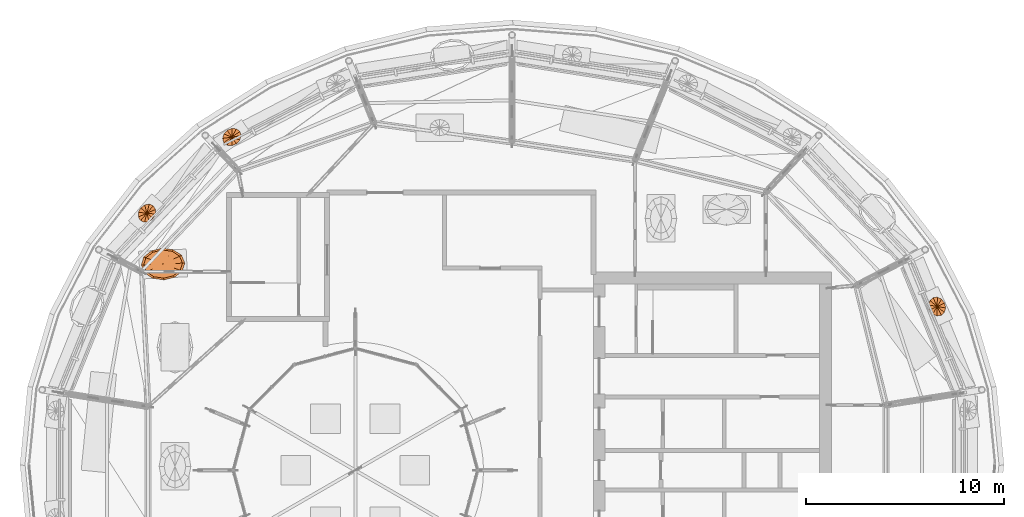
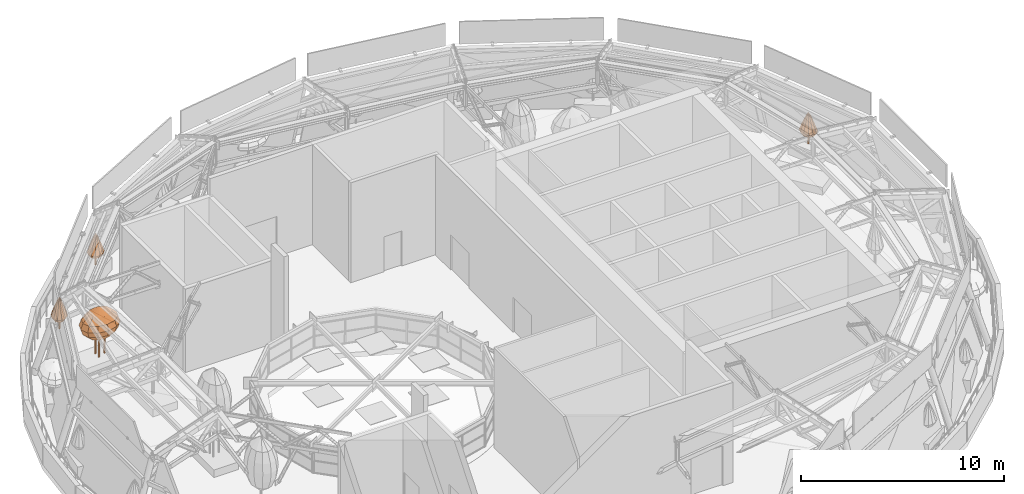
# One storey, part 37 of 40: 4 geographic elements.
"""IFC4 building model written with IfcOpenShell, lengths in metres."""

from ifc_helpers import new_model, si_unit, direction, frame, origin, place, context, subcontext, project, spatial, faceted_brep, material, constituent, constituent_set, type_object, element, save


model = new_model("IFC4")

# Units and contexts
model_context = context("Model", 3, precision=1e-05, world=origin(), true_north=direction((0.0, 1.0)))
body_context = subcontext(model_context, "Body", "Model", "MODEL_VIEW")
ifc_project = project(units=[si_unit("LENGTHUNIT", "METRE"), si_unit("AREAUNIT", "SQUARE_METRE"), si_unit("VOLUMEUNIT", "CUBIC_METRE"), si_unit("PLANEANGLEUNIT", "RADIAN"), si_unit("MASSUNIT", "GRAM", prefix="KILO")], contexts=[model_context])

# Site, building, storey
site_placement = place(None, origin())
site = spatial("IfcSite", under=ifc_project, at=site_placement, CompositionType="ELEMENT")
building_placement = place(site_placement, origin())
building = spatial("IfcBuilding", under=site, at=building_placement, Name="Taillehof Tower", CompositionType="ELEMENT")
storey_placement = place(building_placement, frame((0.0, 0.0, 275.199951171875)))
storey = spatial("IfcBuildingStorey", under=building, at=storey_placement, Name="L77", CompositionType="ELEMENT", Elevation=275.199951171875)

# Geographic elements
ifc_material_1 = material(Name="Tree bark", Category="timber")
ifc_constituent_1 = constituent(ifc_material_1, Name="Trunk", Category="timber")
ifc_material_2 = material(Name="Tree foliage")
ifc_constituent_2 = constituent(ifc_material_2, Name="Crown")
ifc_constituent_set_1 = constituent_set(constituents=[ifc_constituent_1, ifc_constituent_2], Name="Tree TR10 Scots pine standard")
geographic_element_type_1 = type_object("IfcGeographicElementType", Name="Tree TR10 Scots pine standard", PredefinedType="USERDEFINED", material=ifc_constituent_set_1)
geographic_element_1_placement = place(storey_placement, frame((21.333984375, 8.259765625, 0.75)))
element("IfcGeographicElement", 1, at=geographic_element_1_placement, inside=storey, type_object=geographic_element_type_1, Name="Tree TR10 Scots pine standard", ObjectType="TREE", PredefinedType="USERDEFINED", context=body_context, shape_type="Brep", body=[
    faceted_brep([(0.050048828125, 0.0, 0.0), (0.035400390625, 0.035400390625, 0.0), (0.035400390625, 0.035400390625, 1.035400390625), (0.050048828125, 0.0, 1.035400390625), (0.0, 0.050048828125, 0.0), (0.0, 0.050048828125, 1.035400390625), (-0.035400390625, 0.035400390625, 0.0), (-0.035400390625, 0.035400390625, 1.035400390625), (-0.050048828125, 0.0, 0.0), (-0.050048828125, 0.0, 1.035400390625), (-0.035400390625, -0.035400390625, 0.0), (-0.035400390625, -0.035400390625, 1.035400390625), (0.0, -0.050048828125, 0.0), (0.0, -0.050048828125, 1.035400390625), (0.035400390625, -0.035400390625, 0.0), (0.035400390625, -0.035400390625, 1.035400390625)], [[[0, 1, 2, 3]], [[1, 4, 5, 2]], [[4, 6, 7, 5]], [[6, 8, 9, 7]], [[8, 10, 11, 9]], [[10, 12, 13, 11]], [[12, 14, 15, 13]], [[14, 0, 3, 15]], [[14, 12, 10, 8, 6, 4, 1, 0]], [[3, 2, 5, 7, 9, 11, 13, 15]]]),
    faceted_brep([(-0.138427734375, 0.299560546875, 0.570068359375), (-0.24462890625, 0.20166015625, 0.570068359375), (-0.365234375, 0.30126953125, 0.791748046875), (-0.20654296875, 0.447265625, 0.791748046875), (-0.285400390625, 0.0498046875, 0.570068359375), (-0.426025390625, 0.074462890625, 0.791748046875), (-0.249755859375, -0.115234375, 0.570068359375), (-0.372802734375, -0.172119140625, 0.791748046875), (-0.14697265625, -0.249755859375, 0.570068359375), (-0.219482421875, -0.372802734375, 0.791748046875), (-0.0048828125, -0.317138671875, 0.570068359375), (-0.00732421875, -0.473388671875, 0.791748046875), (0.138427734375, -0.299560546875, 0.570068359375), (0.20654296875, -0.447265625, 0.791748046875), (0.24462890625, -0.20166015625, 0.570068359375), (0.365234375, -0.30126953125, 0.791748046875), (0.285400390625, -0.0498046875, 0.570068359375), (0.426025390625, -0.074462890625, 0.791748046875), (0.249755859375, 0.115234375, 0.570068359375), (0.372802734375, 0.172119140625, 0.791748046875), (0.14697265625, 0.249755859375, 0.570068359375), (0.219482421875, 0.372802734375, 0.791748046875), (0.0048828125, 0.317138671875, 0.570068359375), (0.00732421875, 0.473388671875, 0.791748046875), (-0.3056640625, 0.251953125, 1.013427734375), (-0.1728515625, 0.3740234375, 1.013427734375), (-0.3564453125, 0.062255859375, 1.013427734375), (-0.311767578125, -0.14404296875, 1.013427734375), (-0.18359375, -0.311767578125, 1.013427734375), (-0.006103515625, -0.39599609375, 1.013427734375), (0.1728515625, -0.3740234375, 1.013427734375), (0.3056640625, -0.251953125, 1.013427734375), (0.3564453125, -0.062255859375, 1.013427734375), (0.311767578125, 0.14404296875, 1.013427734375), (0.18359375, 0.311767578125, 1.013427734375), (0.006103515625, 0.39599609375, 1.013427734375), (-0.24267578125, 0.2001953125, 1.235107421875), (-0.13720703125, 0.297119140625, 1.235107421875), (-0.283203125, 0.049560546875, 1.235107421875), (-0.24755859375, -0.114501953125, 1.235107421875), (-0.145751953125, -0.247802734375, 1.235107421875), (-0.0048828125, -0.314697265625, 1.235107421875), (0.13720703125, -0.297119140625, 1.235107421875), (0.24267578125, -0.2001953125, 1.235107421875), (0.283203125, -0.049560546875, 1.235107421875), (0.24755859375, 0.114501953125, 1.235107421875), (0.145751953125, 0.247802734375, 1.235107421875), (0.0048828125, 0.314697265625, 1.235107421875), (-0.175537109375, 0.144775390625, 1.456787109375), (-0.099365234375, 0.21484375, 1.456787109375), (-0.20458984375, 0.035888671875, 1.456787109375), (-0.178955078125, -0.082763671875, 1.456787109375), (-0.10546875, -0.178955078125, 1.456787109375), (-0.003662109375, -0.2275390625, 1.456787109375), (0.099365234375, -0.21484375, 1.456787109375), (0.175537109375, -0.144775390625, 1.456787109375), (0.20458984375, -0.035888671875, 1.456787109375), (0.178955078125, 0.082763671875, 1.456787109375), (0.10546875, 0.178955078125, 1.456787109375), (0.003662109375, 0.2275390625, 1.456787109375), (-0.100830078125, 0.0830078125, 1.67822265625), (-0.05712890625, 0.123291015625, 1.67822265625), (-0.11767578125, 0.0205078125, 1.67822265625), (-0.102783203125, -0.047607421875, 1.67822265625), (-0.060546875, -0.102783203125, 1.67822265625), (-0.001953125, -0.130615234375, 1.67822265625), (0.05712890625, -0.123291015625, 1.67822265625), (0.100830078125, -0.0830078125, 1.67822265625), (0.11767578125, -0.0205078125, 1.67822265625), (0.102783203125, 0.047607421875, 1.67822265625), (0.060546875, 0.102783203125, 1.67822265625), (0.001953125, 0.130615234375, 1.67822265625), (0.0, 0.0, 1.89990234375)], [[[0, 1, 2, 3]], [[1, 4, 5, 2]], [[4, 6, 7, 5]], [[6, 8, 9, 7]], [[8, 10, 11, 9]], [[10, 12, 13, 11]], [[12, 14, 15, 13]], [[14, 16, 17, 15]], [[16, 18, 19, 17]], [[18, 20, 21, 19]], [[20, 22, 23, 21]], [[22, 0, 3, 23]], [[3, 2, 24, 25]], [[2, 5, 26, 24]], [[5, 7, 27, 26]], [[7, 9, 28, 27]], [[9, 11, 29, 28]], [[11, 13, 30, 29]], [[13, 15, 31, 30]], [[15, 17, 32, 31]], [[17, 19, 33, 32]], [[19, 21, 34, 33]], [[21, 23, 35, 34]], [[23, 3, 25, 35]], [[25, 24, 36, 37]], [[24, 26, 38, 36]], [[26, 27, 39, 38]], [[27, 28, 40, 39]], [[28, 29, 41, 40]], [[29, 30, 42, 41]], [[30, 31, 43, 42]], [[31, 32, 44, 43]], [[32, 33, 45, 44]], [[33, 34, 46, 45]], [[34, 35, 47, 46]], [[35, 25, 37, 47]], [[37, 36, 48, 49]], [[36, 38, 50, 48]], [[38, 39, 51, 50]], [[39, 40, 52, 51]], [[40, 41, 53, 52]], [[41, 42, 54, 53]], [[42, 43, 55, 54]], [[43, 44, 56, 55]], [[44, 45, 57, 56]], [[45, 46, 58, 57]], [[46, 47, 59, 58]], [[47, 37, 49, 59]], [[49, 48, 60, 61]], [[48, 50, 62, 60]], [[50, 51, 63, 62]], [[51, 52, 64, 63]], [[52, 53, 65, 64]], [[53, 54, 66, 65]], [[54, 55, 67, 66]], [[55, 56, 68, 67]], [[56, 57, 69, 68]], [[57, 58, 70, 69]], [[58, 59, 71, 70]], [[59, 49, 61, 71]], [[61, 60, 72]], [[60, 62, 72]], [[62, 63, 72]], [[63, 64, 72]], [[64, 65, 72]], [[65, 66, 72]], [[66, 67, 72]], [[67, 68, 72]], [[68, 69, 72]], [[69, 70, 72]], [[70, 71, 72]], [[71, 61, 72]], [[22, 20, 18, 16, 14, 12, 10, 8, 6, 4, 1, 0]]]),
])
geographic_element_2_placement = place(storey_placement, frame((-14.223388671875, 16.8017578125, 0.75)))
element("IfcGeographicElement", 2, at=geographic_element_2_placement, inside=storey, type_object=geographic_element_type_1, Name="Tree TR10 Scots pine standard", ObjectType="TREE", PredefinedType="USERDEFINED", context=body_context, shape_type="Brep", body=[
    faceted_brep([(0.050048828125, 0.0, 0.0), (0.035400390625, 0.035400390625, 0.0), (0.035400390625, 0.035400390625, 1.035400390625), (0.050048828125, 0.0, 1.035400390625), (0.0, 0.050048828125, 0.0), (0.0, 0.050048828125, 1.035400390625), (-0.035400390625, 0.035400390625, 0.0), (-0.035400390625, 0.035400390625, 1.035400390625), (-0.050048828125, 0.0, 0.0), (-0.050048828125, 0.0, 1.035400390625), (-0.035400390625, -0.035400390625, 0.0), (-0.035400390625, -0.035400390625, 1.035400390625), (0.0, -0.050048828125, 0.0), (0.0, -0.050048828125, 1.035400390625), (0.035400390625, -0.035400390625, 0.0), (0.035400390625, -0.035400390625, 1.035400390625)], [[[0, 1, 2, 3]], [[1, 4, 5, 2]], [[4, 6, 7, 5]], [[6, 8, 9, 7]], [[8, 10, 11, 9]], [[10, 12, 13, 11]], [[12, 14, 15, 13]], [[14, 0, 3, 15]], [[14, 12, 10, 8, 6, 4, 1, 0]], [[3, 2, 5, 7, 9, 11, 13, 15]]]),
    faceted_brep([(-0.27197265625, -0.18701171875, 0.570068359375), (-0.157470703125, -0.275146484375, 0.570068359375), (-0.235107421875, -0.410888671875, 0.791748046875), (-0.40576171875, -0.279296875, 0.791748046875), (-0.0009765625, -0.289794921875, 0.570068359375), (-0.00146484375, -0.4326171875, 0.791748046875), (0.15576171875, -0.2265625, 0.570068359375), (0.232666015625, -0.338134765625, 0.791748046875), (0.27099609375, -0.102783203125, 0.570068359375), (0.404541015625, -0.1533203125, 0.791748046875), (0.3134765625, 0.048583984375, 0.570068359375), (0.4677734375, 0.07275390625, 0.791748046875), (0.27197265625, 0.18701171875, 0.570068359375), (0.40576171875, 0.279296875, 0.791748046875), (0.157470703125, 0.275146484375, 0.570068359375), (0.235107421875, 0.410888671875, 0.791748046875), (0.0009765625, 0.289794921875, 0.570068359375), (0.00146484375, 0.4326171875, 0.791748046875), (-0.15576171875, 0.2265625, 0.570068359375), (-0.232666015625, 0.338134765625, 0.791748046875), (-0.27099609375, 0.102783203125, 0.570068359375), (-0.404541015625, 0.1533203125, 0.791748046875), (-0.3134765625, -0.048583984375, 0.570068359375), (-0.4677734375, -0.07275390625, 0.791748046875), (-0.19677734375, -0.34375, 1.013427734375), (-0.339599609375, -0.233642578125, 1.013427734375), (-0.001220703125, -0.36181640625, 1.013427734375), (0.194580078125, -0.282958984375, 1.013427734375), (0.33837890625, -0.128173828125, 1.013427734375), (0.391357421875, 0.060791015625, 1.013427734375), (0.339599609375, 0.233642578125, 1.013427734375), (0.19677734375, 0.34375, 1.013427734375), (0.001220703125, 0.36181640625, 1.013427734375), (-0.194580078125, 0.282958984375, 1.013427734375), (-0.33837890625, 0.128173828125, 1.013427734375), (-0.391357421875, -0.060791015625, 1.013427734375), (-0.15625, -0.273193359375, 1.235107421875), (-0.269775390625, -0.185546875, 1.235107421875), (-0.0009765625, -0.287353515625, 1.235107421875), (0.154541015625, -0.224853515625, 1.235107421875), (0.268798828125, -0.101806640625, 1.235107421875), (0.310791015625, 0.04833984375, 1.235107421875), (0.269775390625, 0.185546875, 1.235107421875), (0.15625, 0.273193359375, 1.235107421875), (0.0009765625, 0.287353515625, 1.235107421875), (-0.154541015625, 0.224853515625, 1.235107421875), (-0.268798828125, 0.101806640625, 1.235107421875), (-0.310791015625, -0.04833984375, 1.235107421875), (-0.113037109375, -0.197509765625, 1.456787109375), (-0.195068359375, -0.134033203125, 1.456787109375), (-0.000732421875, -0.207763671875, 1.456787109375), (0.11181640625, -0.16259765625, 1.456787109375), (0.1943359375, -0.07373046875, 1.456787109375), (0.224853515625, 0.034912109375, 1.456787109375), (0.195068359375, 0.134033203125, 1.456787109375), (0.113037109375, 0.197509765625, 1.456787109375), (0.000732421875, 0.207763671875, 1.456787109375), (-0.11181640625, 0.16259765625, 1.456787109375), (-0.1943359375, 0.07373046875, 1.456787109375), (-0.224853515625, -0.034912109375, 1.456787109375), (-0.06494140625, -0.11328125, 1.67822265625), (-0.112060546875, -0.0771484375, 1.67822265625), (-0.00048828125, -0.119384765625, 1.67822265625), (0.064208984375, -0.09326171875, 1.67822265625), (0.111572265625, -0.042236328125, 1.67822265625), (0.129150390625, 0.02001953125, 1.67822265625), (0.112060546875, 0.0771484375, 1.67822265625), (0.06494140625, 0.11328125, 1.67822265625), (0.00048828125, 0.119384765625, 1.67822265625), (-0.064208984375, 0.09326171875, 1.67822265625), (-0.111572265625, 0.042236328125, 1.67822265625), (-0.129150390625, -0.02001953125, 1.67822265625), (0.0, 0.0, 1.89990234375)], [[[0, 1, 2, 3]], [[1, 4, 5, 2]], [[4, 6, 7, 5]], [[6, 8, 9, 7]], [[8, 10, 11, 9]], [[10, 12, 13, 11]], [[12, 14, 15, 13]], [[14, 16, 17, 15]], [[16, 18, 19, 17]], [[18, 20, 21, 19]], [[20, 22, 23, 21]], [[22, 0, 3, 23]], [[3, 2, 24, 25]], [[2, 5, 26, 24]], [[5, 7, 27, 26]], [[7, 9, 28, 27]], [[9, 11, 29, 28]], [[11, 13, 30, 29]], [[13, 15, 31, 30]], [[15, 17, 32, 31]], [[17, 19, 33, 32]], [[19, 21, 34, 33]], [[21, 23, 35, 34]], [[23, 3, 25, 35]], [[25, 24, 36, 37]], [[24, 26, 38, 36]], [[26, 27, 39, 38]], [[27, 28, 40, 39]], [[28, 29, 41, 40]], [[29, 30, 42, 41]], [[30, 31, 43, 42]], [[31, 32, 44, 43]], [[32, 33, 45, 44]], [[33, 34, 46, 45]], [[34, 35, 47, 46]], [[35, 25, 37, 47]], [[37, 36, 48, 49]], [[36, 38, 50, 48]], [[38, 39, 51, 50]], [[39, 40, 52, 51]], [[40, 41, 53, 52]], [[41, 42, 54, 53]], [[42, 43, 55, 54]], [[43, 44, 56, 55]], [[44, 45, 57, 56]], [[45, 46, 58, 57]], [[46, 47, 59, 58]], [[47, 37, 49, 59]], [[49, 48, 60, 61]], [[48, 50, 62, 60]], [[50, 51, 63, 62]], [[51, 52, 64, 63]], [[52, 53, 65, 64]], [[53, 54, 66, 65]], [[54, 55, 67, 66]], [[55, 56, 68, 67]], [[56, 57, 69, 68]], [[57, 58, 70, 69]], [[58, 59, 71, 70]], [[59, 49, 61, 71]], [[61, 60, 72]], [[60, 62, 72]], [[62, 63, 72]], [[63, 64, 72]], [[64, 65, 72]], [[65, 66, 72]], [[66, 67, 72]], [[67, 68, 72]], [[68, 69, 72]], [[69, 70, 72]], [[70, 71, 72]], [[71, 61, 72]], [[22, 20, 18, 16, 14, 12, 10, 8, 6, 4, 1, 0]]]),
])
geographic_element_3_placement = place(storey_placement, frame((-18.505859375, 12.962158203125, 0.75)))
element("IfcGeographicElement", 3, at=geographic_element_3_placement, inside=storey, type_object=geographic_element_type_1, Name="Tree TR10 Scots pine standard", ObjectType="TREE", PredefinedType="USERDEFINED", context=body_context, shape_type="Brep", body=[
    faceted_brep([(0.050048828125, 0.0, 0.0), (0.035400390625, 0.035400390625, 0.0), (0.035400390625, 0.035400390625, 1.035400390625), (0.050048828125, 0.0, 1.035400390625), (0.0, 0.050048828125, 0.0), (0.0, 0.050048828125, 1.035400390625), (-0.035400390625, 0.035400390625, 0.0), (-0.035400390625, 0.035400390625, 1.035400390625), (-0.050048828125, 0.0, 0.0), (-0.050048828125, 0.0, 1.035400390625), (-0.035400390625, -0.035400390625, 0.0), (-0.035400390625, -0.035400390625, 1.035400390625), (0.0, -0.050048828125, 0.0), (0.0, -0.050048828125, 1.035400390625), (0.035400390625, -0.035400390625, 0.0), (0.035400390625, -0.035400390625, 1.035400390625)], [[[0, 1, 2, 3]], [[1, 4, 5, 2]], [[4, 6, 7, 5]], [[6, 8, 9, 7]], [[8, 10, 11, 9]], [[10, 12, 13, 11]], [[12, 14, 15, 13]], [[14, 0, 3, 15]], [[14, 12, 10, 8, 6, 4, 1, 0]], [[3, 2, 5, 7, 9, 11, 13, 15]]]),
    faceted_brep([(-0.214599609375, -0.250732421875, 0.570068359375), (-0.081298828125, -0.306640625, 0.570068359375), (-0.12158203125, -0.45751953125, 0.791748046875), (-0.3203125, -0.374267578125, 0.791748046875), (0.07373046875, -0.2802734375, 0.570068359375), (0.10986328125, -0.418212890625, 0.791748046875), (0.208984375, -0.1787109375, 0.570068359375), (0.31201171875, -0.266845703125, 0.791748046875), (0.288330078125, -0.029541015625, 0.570068359375), (0.43017578125, -0.0439453125, 0.791748046875), (0.290283203125, 0.127685546875, 0.570068359375), (0.433349609375, 0.190673828125, 0.791748046875), (0.214599609375, 0.250732421875, 0.570068359375), (0.3203125, 0.374267578125, 0.791748046875), (0.081298828125, 0.306640625, 0.570068359375), (0.12158203125, 0.45751953125, 0.791748046875), (-0.07373046875, 0.2802734375, 0.570068359375), (-0.10986328125, 0.418212890625, 0.791748046875), (-0.208984375, 0.1787109375, 0.570068359375), (-0.31201171875, 0.266845703125, 0.791748046875), (-0.288330078125, 0.029541015625, 0.570068359375), (-0.43017578125, 0.0439453125, 0.791748046875), (-0.290283203125, -0.127685546875, 0.570068359375), (-0.433349609375, -0.190673828125, 0.791748046875), (-0.1015625, -0.3828125, 1.013427734375), (-0.26806640625, -0.31298828125, 1.013427734375), (0.092041015625, -0.349853515625, 1.013427734375), (0.260986328125, -0.223388671875, 1.013427734375), (0.35986328125, -0.036865234375, 1.013427734375), (0.362548828125, 0.159423828125, 1.013427734375), (0.26806640625, 0.31298828125, 1.013427734375), (0.1015625, 0.3828125, 1.013427734375), (-0.092041015625, 0.349853515625, 1.013427734375), (-0.260986328125, 0.223388671875, 1.013427734375), (-0.35986328125, 0.036865234375, 1.013427734375), (-0.362548828125, -0.159423828125, 1.013427734375), (-0.080810546875, -0.30419921875, 1.235107421875), (-0.212890625, -0.248779296875, 1.235107421875), (0.072998046875, -0.278076171875, 1.235107421875), (0.207275390625, -0.177490234375, 1.235107421875), (0.285888671875, -0.029296875, 1.235107421875), (0.2880859375, 0.126708984375, 1.235107421875), (0.212890625, 0.248779296875, 1.235107421875), (0.080810546875, 0.30419921875, 1.235107421875), (-0.072998046875, 0.278076171875, 1.235107421875), (-0.207275390625, 0.177490234375, 1.235107421875), (-0.285888671875, 0.029296875, 1.235107421875), (-0.2880859375, -0.126708984375, 1.235107421875), (-0.058349609375, -0.219970703125, 1.456787109375), (-0.15380859375, -0.179931640625, 1.456787109375), (0.052734375, -0.200927734375, 1.456787109375), (0.14990234375, -0.128173828125, 1.456787109375), (0.206787109375, -0.021240234375, 1.456787109375), (0.208251953125, 0.091552734375, 1.456787109375), (0.15380859375, 0.179931640625, 1.456787109375), (0.058349609375, 0.219970703125, 1.456787109375), (-0.052734375, 0.200927734375, 1.456787109375), (-0.14990234375, 0.128173828125, 1.456787109375), (-0.206787109375, 0.021240234375, 1.456787109375), (-0.208251953125, -0.091552734375, 1.456787109375), (-0.033447265625, -0.126220703125, 1.67822265625), (-0.08837890625, -0.103271484375, 1.67822265625), (0.0302734375, -0.115478515625, 1.67822265625), (0.086181640625, -0.07373046875, 1.67822265625), (0.11865234375, -0.01220703125, 1.67822265625), (0.11962890625, 0.052734375, 1.67822265625), (0.08837890625, 0.103271484375, 1.67822265625), (0.033447265625, 0.126220703125, 1.67822265625), (-0.0302734375, 0.115478515625, 1.67822265625), (-0.086181640625, 0.07373046875, 1.67822265625), (-0.11865234375, 0.01220703125, 1.67822265625), (-0.11962890625, -0.052734375, 1.67822265625), (0.0, 0.0, 1.89990234375)], [[[0, 1, 2, 3]], [[1, 4, 5, 2]], [[4, 6, 7, 5]], [[6, 8, 9, 7]], [[8, 10, 11, 9]], [[10, 12, 13, 11]], [[12, 14, 15, 13]], [[14, 16, 17, 15]], [[16, 18, 19, 17]], [[18, 20, 21, 19]], [[20, 22, 23, 21]], [[22, 0, 3, 23]], [[3, 2, 24, 25]], [[2, 5, 26, 24]], [[5, 7, 27, 26]], [[7, 9, 28, 27]], [[9, 11, 29, 28]], [[11, 13, 30, 29]], [[13, 15, 31, 30]], [[15, 17, 32, 31]], [[17, 19, 33, 32]], [[19, 21, 34, 33]], [[21, 23, 35, 34]], [[23, 3, 25, 35]], [[25, 24, 36, 37]], [[24, 26, 38, 36]], [[26, 27, 39, 38]], [[27, 28, 40, 39]], [[28, 29, 41, 40]], [[29, 30, 42, 41]], [[30, 31, 43, 42]], [[31, 32, 44, 43]], [[32, 33, 45, 44]], [[33, 34, 46, 45]], [[34, 35, 47, 46]], [[35, 25, 37, 47]], [[37, 36, 48, 49]], [[36, 38, 50, 48]], [[38, 39, 51, 50]], [[39, 40, 52, 51]], [[40, 41, 53, 52]], [[41, 42, 54, 53]], [[42, 43, 55, 54]], [[43, 44, 56, 55]], [[44, 45, 57, 56]], [[45, 46, 58, 57]], [[46, 47, 59, 58]], [[47, 37, 49, 59]], [[49, 48, 60, 61]], [[48, 50, 62, 60]], [[50, 51, 63, 62]], [[51, 52, 64, 63]], [[52, 53, 65, 64]], [[53, 54, 66, 65]], [[54, 55, 67, 66]], [[55, 56, 68, 67]], [[56, 57, 69, 68]], [[57, 58, 70, 69]], [[58, 59, 71, 70]], [[59, 49, 61, 71]], [[61, 60, 72]], [[60, 62, 72]], [[62, 63, 72]], [[63, 64, 72]], [[64, 65, 72]], [[65, 66, 72]], [[66, 67, 72]], [[67, 68, 72]], [[68, 69, 72]], [[69, 70, 72]], [[70, 71, 72]], [[71, 61, 72]], [[22, 20, 18, 16, 14, 12, 10, 8, 6, 4, 1, 0]]]),
])
ifc_material_3 = material(Name="Tree bark", Category="timber")
ifc_constituent_3 = constituent(ifc_material_3, Name="Trunk", Category="timber")
ifc_material_4 = material(Name="Tree foliage")
ifc_constituent_4 = constituent(ifc_material_4, Name="Crown")
ifc_constituent_set_2 = constituent_set(constituents=[ifc_constituent_3, ifc_constituent_4], Name="Tree TR9 Multi-stem hawthorn")
geographic_element_type_2 = type_object("IfcGeographicElementType", Name="Tree TR9 Multi-stem hawthorn", PredefinedType="USERDEFINED", material=ifc_constituent_set_2)
geographic_element_4_placement = place(storey_placement, frame((-17.691650390625, 10.3994140625, 0.449951171875)))
element("IfcGeographicElement", 4, at=geographic_element_4_placement, inside=storey, type_object=geographic_element_type_2, Name="Tree TR9 Multi-stem hawthorn", ObjectType="TREE", PredefinedType="USERDEFINED", context=body_context, shape_type="Brep", body=[
    faceted_brep([(0.31982421875, 0.0, 0.0), (0.306640625, 0.03173828125, 0.0), (0.306640625, 0.03173828125, 1.58056640625), (0.31982421875, 0.0, 1.58056640625), (0.27490234375, 0.044921875, 0.0), (0.27490234375, 0.044921875, 1.58056640625), (0.2431640625, 0.03173828125, 0.0), (0.2431640625, 0.03173828125, 1.58056640625), (0.22998046875, 0.0, 0.0), (0.22998046875, 0.0, 1.58056640625), (0.2431640625, -0.03173828125, 0.0), (0.2431640625, -0.03173828125, 1.58056640625), (0.27490234375, -0.044921875, 0.0), (0.27490234375, -0.044921875, 1.58056640625), (0.306640625, -0.03173828125, 0.0), (0.306640625, -0.03173828125, 1.58056640625)], [[[0, 1, 2, 3]], [[1, 4, 5, 2]], [[4, 6, 7, 5]], [[6, 8, 9, 7]], [[8, 10, 11, 9]], [[10, 12, 13, 11]], [[12, 14, 15, 13]], [[14, 0, 3, 15]], [[14, 12, 10, 8, 6, 4, 1, 0]], [[3, 2, 5, 7, 9, 11, 13, 15]]]),
    faceted_brep([(-0.092529296875, 0.173095703125, 0.0), (-0.105712890625, 0.205078125, 0.0), (-0.105712890625, 0.205078125, 1.58056640625), (-0.092529296875, 0.173095703125, 1.58056640625), (-0.137451171875, 0.218017578125, 0.0), (-0.137451171875, 0.218017578125, 1.58056640625), (-0.169189453125, 0.205078125, 0.0), (-0.169189453125, 0.205078125, 1.58056640625), (-0.182373046875, 0.173095703125, 0.0), (-0.182373046875, 0.173095703125, 1.58056640625), (-0.169189453125, 0.141357421875, 0.0), (-0.169189453125, 0.141357421875, 1.58056640625), (-0.137451171875, 0.12841796875, 0.0), (-0.137451171875, 0.12841796875, 1.58056640625), (-0.105712890625, 0.141357421875, 0.0), (-0.105712890625, 0.141357421875, 1.58056640625)], [[[0, 1, 2, 3]], [[1, 4, 5, 2]], [[4, 6, 7, 5]], [[6, 8, 9, 7]], [[8, 10, 11, 9]], [[10, 12, 13, 11]], [[12, 14, 15, 13]], [[14, 0, 3, 15]], [[14, 12, 10, 8, 6, 4, 1, 0]], [[3, 2, 5, 7, 9, 11, 13, 15]]]),
    faceted_brep([(-0.092529296875, -0.173095703125, 0.0), (-0.105712890625, -0.141357421875, 0.0), (-0.105712890625, -0.141357421875, 1.58056640625), (-0.092529296875, -0.173095703125, 1.58056640625), (-0.137451171875, -0.12841796875, 0.0), (-0.137451171875, -0.12841796875, 1.58056640625), (-0.169189453125, -0.141357421875, 0.0), (-0.169189453125, -0.141357421875, 1.58056640625), (-0.182373046875, -0.173095703125, 0.0), (-0.182373046875, -0.173095703125, 1.58056640625), (-0.169189453125, -0.205078125, 0.0), (-0.169189453125, -0.205078125, 1.58056640625), (-0.137451171875, -0.218017578125, 0.0), (-0.137451171875, -0.218017578125, 1.58056640625), (-0.105712890625, -0.205078125, 0.0), (-0.105712890625, -0.205078125, 1.58056640625)], [[[0, 1, 2, 3]], [[1, 4, 5, 2]], [[4, 6, 7, 5]], [[6, 8, 9, 7]], [[8, 10, 11, 9]], [[10, 12, 13, 11]], [[12, 14, 15, 13]], [[14, 0, 3, 15]], [[14, 12, 10, 8, 6, 4, 1, 0]], [[3, 2, 5, 7, 9, 11, 13, 15]]]),
    faceted_brep([(0.0, 0.0, 0.8701171875), (0.535888671875, 0.2548828125, 1.208251953125), (0.631103515625, 0.029296875, 1.208251953125), (0.297119140625, 0.412109375, 1.208251953125), (-0.021240234375, 0.458984375, 1.208251953125), (-0.333984375, 0.3828125, 1.208251953125), (-0.55712890625, 0.2041015625, 1.208251953125), (-0.631103515625, -0.029296875, 1.208251953125), (-0.535888671875, -0.2548828125, 1.208251953125), (-0.297119140625, -0.412109375, 1.208251953125), (0.021240234375, -0.458984375, 1.208251953125), (0.333984375, -0.3828125, 1.208251953125), (0.55712890625, -0.2041015625, 1.208251953125), (0.83154296875, 0.3955078125, 1.546630859375), (0.9794921875, 0.045654296875, 1.546630859375), (0.4609375, 0.6396484375, 1.546630859375), (-0.033203125, 0.712158203125, 1.546630859375), (-0.518310546875, 0.593994140625, 1.546630859375), (-0.86474609375, 0.316650390625, 1.546630859375), (-0.9794921875, -0.045654296875, 1.546630859375), (-0.83154296875, -0.3955078125, 1.546630859375), (-0.4609375, -0.6396484375, 1.546630859375), (0.033203125, -0.712158203125, 1.546630859375), (0.518310546875, -0.593994140625, 1.546630859375), (0.86474609375, -0.316650390625, 1.546630859375), (0.93310546875, 0.44384765625, 1.885009765625), (1.098876953125, 0.051025390625, 1.885009765625), (0.517333984375, 0.717529296875, 1.885009765625), (-0.037109375, 0.799072265625, 1.885009765625), (-0.58154296875, 0.66650390625, 1.885009765625), (-0.97021484375, 0.355224609375, 1.885009765625), (-1.098876953125, -0.051025390625, 1.885009765625), (-0.93310546875, -0.44384765625, 1.885009765625), (-0.517333984375, -0.717529296875, 1.885009765625), (0.037109375, -0.799072265625, 1.885009765625), (0.58154296875, -0.66650390625, 1.885009765625), (0.97021484375, -0.355224609375, 1.885009765625), (0.83154296875, 0.3955078125, 2.223388671875), (0.9794921875, 0.045654296875, 2.223388671875), (0.4609375, 0.6396484375, 2.223388671875), (-0.033203125, 0.712158203125, 2.223388671875), (-0.518310546875, 0.593994140625, 2.223388671875), (-0.86474609375, 0.316650390625, 2.223388671875), (-0.9794921875, -0.045654296875, 2.223388671875), (-0.83154296875, -0.3955078125, 2.223388671875), (-0.4609375, -0.6396484375, 2.223388671875), (0.033203125, -0.712158203125, 2.223388671875), (0.518310546875, -0.593994140625, 2.223388671875), (0.86474609375, -0.316650390625, 2.223388671875), (0.535888671875, 0.2548828125, 2.561767578125), (0.631103515625, 0.029296875, 2.561767578125), (0.297119140625, 0.412109375, 2.561767578125), (-0.021240234375, 0.458984375, 2.561767578125), (-0.333984375, 0.3828125, 2.561767578125), (-0.55712890625, 0.2041015625, 2.561767578125), (-0.631103515625, -0.029296875, 2.561767578125), (-0.535888671875, -0.2548828125, 2.561767578125), (-0.297119140625, -0.412109375, 2.561767578125), (0.021240234375, -0.458984375, 2.561767578125), (0.333984375, -0.3828125, 2.561767578125), (0.55712890625, -0.2041015625, 2.561767578125), (0.0, 0.0, 2.89990234375)], [[[0, 1, 2]], [[0, 3, 1]], [[0, 4, 3]], [[0, 5, 4]], [[0, 6, 5]], [[0, 7, 6]], [[0, 8, 7]], [[0, 9, 8]], [[0, 10, 9]], [[0, 11, 10]], [[0, 12, 11]], [[0, 2, 12]], [[2, 1, 13, 14]], [[1, 3, 15, 13]], [[3, 4, 16, 15]], [[4, 5, 17, 16]], [[5, 6, 18, 17]], [[6, 7, 19, 18]], [[7, 8, 20, 19]], [[8, 9, 21, 20]], [[9, 10, 22, 21]], [[10, 11, 23, 22]], [[11, 12, 24, 23]], [[12, 2, 14, 24]], [[14, 13, 25, 26]], [[13, 15, 27, 25]], [[15, 16, 28, 27]], [[16, 17, 29, 28]], [[17, 18, 30, 29]], [[18, 19, 31, 30]], [[19, 20, 32, 31]], [[20, 21, 33, 32]], [[21, 22, 34, 33]], [[22, 23, 35, 34]], [[23, 24, 36, 35]], [[24, 14, 26, 36]], [[26, 25, 37, 38]], [[25, 27, 39, 37]], [[27, 28, 40, 39]], [[28, 29, 41, 40]], [[29, 30, 42, 41]], [[30, 31, 43, 42]], [[31, 32, 44, 43]], [[32, 33, 45, 44]], [[33, 34, 46, 45]], [[34, 35, 47, 46]], [[35, 36, 48, 47]], [[36, 26, 38, 48]], [[38, 37, 49, 50]], [[37, 39, 51, 49]], [[39, 40, 52, 51]], [[40, 41, 53, 52]], [[41, 42, 54, 53]], [[42, 43, 55, 54]], [[43, 44, 56, 55]], [[44, 45, 57, 56]], [[45, 46, 58, 57]], [[46, 47, 59, 58]], [[47, 48, 60, 59]], [[48, 38, 50, 60]], [[50, 49, 61]], [[49, 51, 61]], [[51, 52, 61]], [[52, 53, 61]], [[53, 54, 61]], [[54, 55, 61]], [[55, 56, 61]], [[56, 57, 61]], [[57, 58, 61]], [[58, 59, 61]], [[59, 60, 61]], [[60, 50, 61]]]),
])

save(model, "model.ifc")
